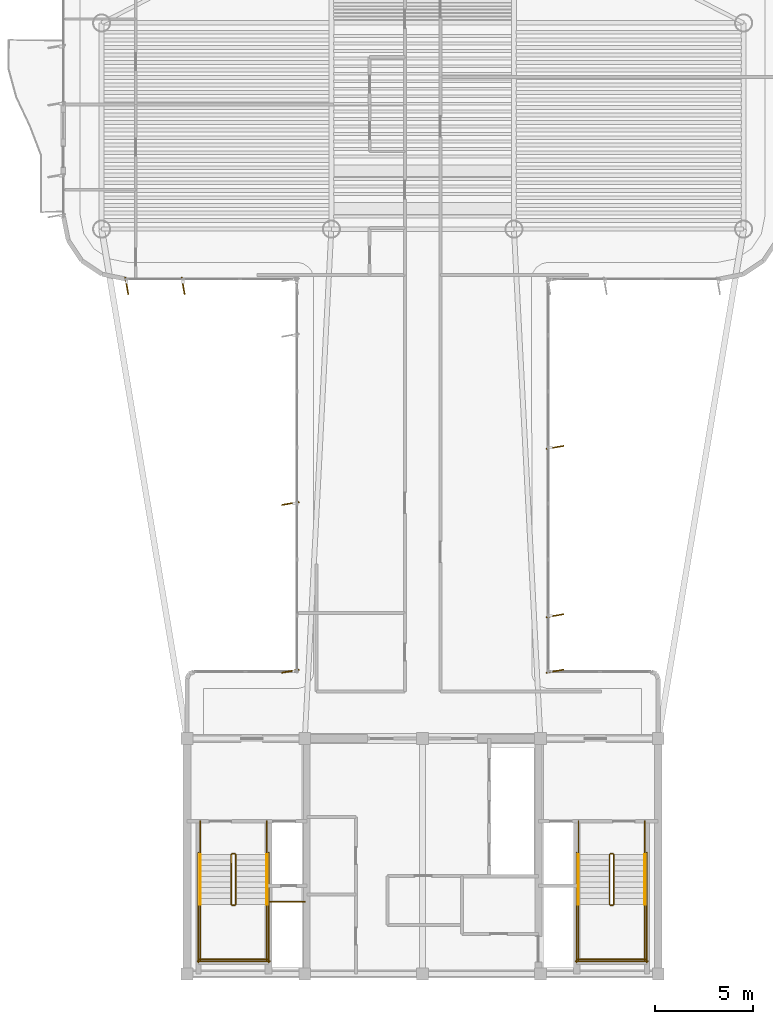
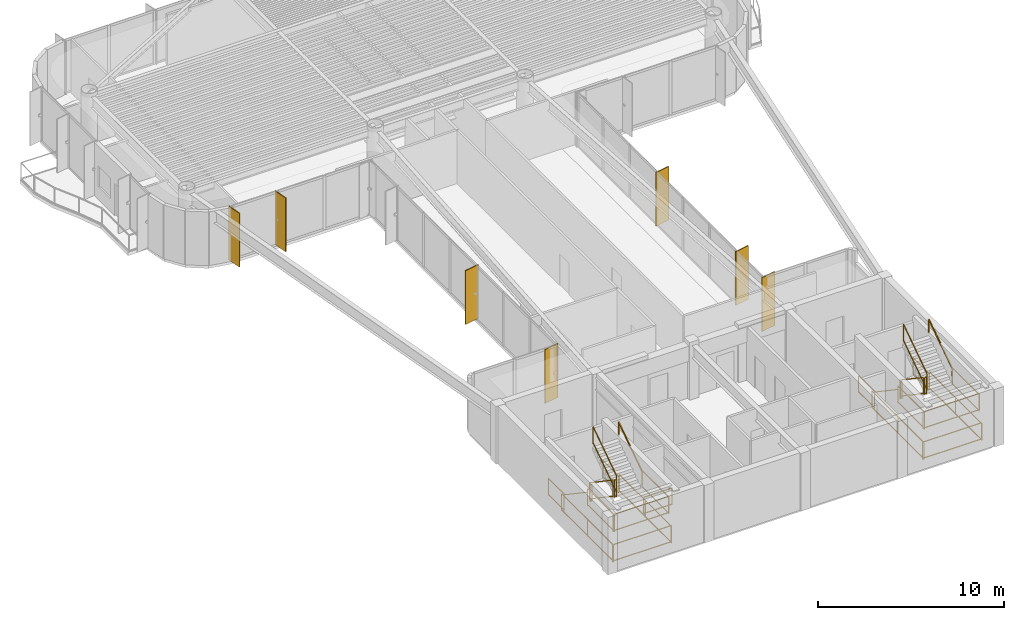
# One storey, part 14 of 15: 29 railings, 7 shading devices.
"""IFC4 building model written with IfcOpenShell, lengths in metres."""

from ifc_helpers import new_model, si_unit, direction, frame, origin, origin_2d, place, context, subcontext, project, spatial, rectangle, extrude, source, transform, mapped, material, layer, layer_set, material_profile, profile_set, type_object, element, save


model = new_model("IFC4")

# Units and contexts
model_context = context("Model", 3, precision=1e-05, world=origin(), true_north=direction((0.0, 1.0)))
body_context = subcontext(model_context, "Body", "Model", "MODEL_VIEW")
ifc_project = project(units=[si_unit("LENGTHUNIT", "METRE"), si_unit("AREAUNIT", "SQUARE_METRE"), si_unit("VOLUMEUNIT", "CUBIC_METRE"), si_unit("PLANEANGLEUNIT", "RADIAN"), si_unit("MASSUNIT", "GRAM", prefix="KILO")], contexts=[model_context])

# Site, building, storey
site_placement = place(None, origin())
site = spatial("IfcSite", under=ifc_project, at=site_placement, CompositionType="ELEMENT")
building_placement = place(site_placement, origin())
building = spatial("IfcBuilding", under=site, at=building_placement, Name="Brelvock Crest Care Tower", CompositionType="ELEMENT")
storey_placement = place(building_placement, frame((0.0, 0.0, 283.5)))
storey = spatial("IfcBuildingStorey", under=building, at=storey_placement, Name="L72", CompositionType="ELEMENT", Elevation=283.5)

# Railings
ifc_material_1 = material(Name="Steel Grade 350", Category="steel")
ifc_layer_1 = layer(ifc_material_1, 0.050048828125, Name="RL-STG1")
ifc_layer_set_1 = layer_set([ifc_layer_1], Name="Steel Grade 350")
railing_type_1 = type_object("IfcRailingType", Name="RL-STG1", PredefinedType="GUARDRAIL", material=ifc_layer_set_1)
railing_1_placement = place(storey_placement, frame((26.260009765625, 12.080078125, 0.18896484375)))
element("IfcRailing", 1, at=railing_1_placement, inside=storey, type_object=railing_type_1, Name="L72 ST-1 stair guard 1", PredefinedType="GUARDRAIL", context=body_context, shape_type="SweptSolid", body=[
    extrude(rectangle(XDim=0.048095703125, YDim=0.048095703125, at=origin_2d()), frame((0.0, -0.001708984375, 1.116943359375), z_axis=(0.0, -0.828861706735, 0.559453546873), x_axis=(1.0, 0.0, 0.0)), (0.0, 0.0, 1.0), 3.036376953125),
    extrude(rectangle(XDim=0.048095703125, YDim=0.048095703125, at=origin_2d()), frame((0.0, -0.001708984375, 0.05615234375), z_axis=(0.0, -0.828861706735, 0.559453546873), x_axis=(1.0, 0.0, 0.0)), (0.0, 0.0, 1.0), 3.036376953125),
    extrude(rectangle(XDim=0.0419921875, YDim=0.0419921875, at=origin_2d()), origin(), (0.0, 0.0, 1.0), 1.08984375),
    extrude(rectangle(XDim=0.0419921875, YDim=0.0419921875, at=origin_2d()), frame((0.0, -2.52001953125, 1.700927734375)), (0.0, 0.0, 1.0), 1.08984375),
])
railing_2_placement = place(storey_placement, frame((26.31005859375, 9.510009765625, 1.889892578125)))
element("IfcRailing", 2, at=railing_2_placement, inside=storey, type_object=railing_type_1, Name="L72 ST-1 stair guard 2", PredefinedType="GUARDRAIL", context=body_context, shape_type="SweptSolid", body=[
    extrude(rectangle(XDim=0.048095703125, YDim=0.048095703125, at=origin_2d()), frame((0.001953125, 0.0, 1.11572265625), z_axis=(1.0, 0.0, 0.0), x_axis=(0.0, 1.0, 0.0)), (0.0, 0.0, 1.0), 0.115966796875),
    extrude(rectangle(XDim=0.048095703125, YDim=0.048095703125, at=origin_2d()), frame((0.001953125, 0.0, 0.054931640625), z_axis=(1.0, 0.0, 0.0), x_axis=(0.0, 1.0, 0.0)), (0.0, 0.0, 1.0), 0.115966796875),
    extrude(rectangle(XDim=0.0419921875, YDim=0.0419921875, at=origin_2d()), origin(), (0.0, 0.0, 1.0), 1.08984375),
    extrude(rectangle(XDim=0.0419921875, YDim=0.0419921875, at=origin_2d()), frame((0.119873046875, 0.0, 0.0)), (0.0, 0.0, 1.0), 1.08984375),
])
for number, where, name in (
    (3, (24.679931640625, 9.56005859375, 1.889892578125), "L72 ST-1 stair guard 3"),
    (4, (28.06005859375, 9.56005859375, 1.889892578125), "L72 ST-1 stair guard 4"),
):
    element("IfcRailing", number, at=place(storey_placement, frame(where)), inside=storey, type_object=railing_type_1, Name=name, PredefinedType="GUARDRAIL", context=body_context, shape_type="SweptSolid", body=[
        extrude(rectangle(XDim=0.048095703125, YDim=0.048095703125, at=origin_2d()), frame((0.0, -0.001953125, 1.11572265625), z_axis=(0.0, -1.0, 0.0), x_axis=(1.0, 0.0, 0.0)), (0.0, 0.0, 1.0), 2.856201171875),
        extrude(rectangle(XDim=0.048095703125, YDim=0.048095703125, at=origin_2d()), frame((0.0, -0.001953125, 0.054931640625), z_axis=(0.0, -1.0, 0.0), x_axis=(1.0, 0.0, 0.0)), (0.0, 0.0, 1.0), 2.856201171875),
        extrude(rectangle(XDim=0.0419921875, YDim=0.0419921875, at=origin_2d()), origin(), (0.0, 0.0, 1.0), 1.08984375),
        extrude(rectangle(XDim=0.0419921875, YDim=0.0419921875, at=origin_2d()), frame((0.0, -2.860107421875, 0.0)), (0.0, 0.0, 1.0), 1.08984375),
    ])
railing_3_placement = place(storey_placement, frame((24.6298828125, 6.75, 1.889892578125)))
element("IfcRailing", 5, at=railing_3_placement, inside=storey, type_object=railing_type_1, Name="L72 ST-1 stair guard 5", PredefinedType="GUARDRAIL", context=body_context, shape_type="SweptSolid", body=[
    extrude(rectangle(XDim=0.048095703125, YDim=0.048095703125, at=origin_2d()), frame((0.001953125, 0.0, 1.11572265625), z_axis=(1.0, 0.0, 0.0), x_axis=(0.0, 1.0, 0.0)), (0.0, 0.0, 1.0), 3.476318359375),
    extrude(rectangle(XDim=0.048095703125, YDim=0.048095703125, at=origin_2d()), frame((0.001953125, 0.0, 0.054931640625), z_axis=(1.0, 0.0, 0.0), x_axis=(0.0, 1.0, 0.0)), (0.0, 0.0, 1.0), 3.476318359375),
    extrude(rectangle(XDim=0.0419921875, YDim=0.0419921875, at=origin_2d()), origin(), (0.0, 0.0, 1.0), 1.08984375),
    extrude(rectangle(XDim=0.0419921875, YDim=0.0419921875, at=origin_2d()), frame((3.480224609375, 0.0, 0.0)), (0.0, 0.0, 1.0), 1.08984375),
])
railing_4_placement = place(storey_placement, frame((26.47998046875, 9.56005859375, 2.0791015625)))
element("IfcRailing", 6, at=railing_4_placement, inside=storey, type_object=railing_type_1, Name="L72 ST-1 stair guard 6", PredefinedType="GUARDRAIL", context=body_context, shape_type="SweptSolid", body=[
    extrude(rectangle(XDim=0.048095703125, YDim=0.048095703125, at=origin_2d()), frame((0.0, 0.001708984375, 1.116943359375), z_axis=(0.0, 0.828861706735, 0.559453546873), x_axis=(-1.0, 0.0, 0.0)), (0.0, 0.0, 1.0), 3.036376953125),
    extrude(rectangle(XDim=0.048095703125, YDim=0.048095703125, at=origin_2d()), frame((0.0, 0.001708984375, 0.05615234375), z_axis=(0.0, 0.828861706735, 0.559453546873), x_axis=(-1.0, 0.0, 0.0)), (0.0, 0.0, 1.0), 3.036376953125),
    extrude(rectangle(XDim=0.0419921875, YDim=0.0419921875, at=origin_2d()), origin(), (0.0, 0.0, 1.0), 1.08984375),
    extrude(rectangle(XDim=0.0419921875, YDim=0.0419921875, at=origin_2d()), frame((0.0, 2.52001953125, 1.700927734375)), (0.0, 0.0, 1.0), 1.08984375),
])
railing_5_placement = place(storey_placement, frame((26.31005859375, 12.1298828125, 0.0)))
element("IfcRailing", 7, at=railing_5_placement, inside=storey, type_object=railing_type_1, Name="L72 ST-1 stair guard 7", PredefinedType="GUARDRAIL", context=body_context, shape_type="SweptSolid", body=[
    extrude(rectangle(XDim=0.048095703125, YDim=0.048095703125, at=origin_2d()), frame((0.001953125, 0.0, 1.11572265625), z_axis=(1.0, 0.0, 0.0), x_axis=(0.0, 1.0, 0.0)), (0.0, 0.0, 1.0), 0.115966796875),
    extrude(rectangle(XDim=0.048095703125, YDim=0.048095703125, at=origin_2d()), frame((0.001953125, 0.0, 0.054931640625), z_axis=(1.0, 0.0, 0.0), x_axis=(0.0, 1.0, 0.0)), (0.0, 0.0, 1.0), 0.115966796875),
    extrude(rectangle(XDim=0.0419921875, YDim=0.0419921875, at=origin_2d()), origin(), (0.0, 0.0, 1.0), 1.08984375),
    extrude(rectangle(XDim=0.0419921875, YDim=0.0419921875, at=origin_2d()), frame((0.119873046875, 0.0, 0.0)), (0.0, 0.0, 1.0), 1.08984375),
])
for number, where, name in (
    (8, (24.679931640625, 13.780029296875, 0.0), "L72 ST-1 stair guard 8"),
    (9, (28.06005859375, 13.780029296875, 0.0), "L72 ST-1 stair guard 9"),
):
    element("IfcRailing", number, at=place(storey_placement, frame(where)), inside=storey, type_object=railing_type_1, Name=name, PredefinedType="GUARDRAIL", context=body_context, shape_type="SweptSolid", body=[
        extrude(rectangle(XDim=0.048095703125, YDim=0.048095703125, at=origin_2d()), frame((0.0, -0.001953125, 1.11572265625), z_axis=(0.0, -1.0, 0.0), x_axis=(1.0, 0.0, 0.0)), (0.0, 0.0, 1.0), 1.696044921875),
        extrude(rectangle(XDim=0.048095703125, YDim=0.048095703125, at=origin_2d()), frame((0.0, -0.001953125, 0.054931640625), z_axis=(0.0, -1.0, 0.0), x_axis=(1.0, 0.0, 0.0)), (0.0, 0.0, 1.0), 1.696044921875),
        extrude(rectangle(XDim=0.0419921875, YDim=0.0419921875, at=origin_2d()), origin(), (0.0, 0.0, 1.0), 1.08984375),
        extrude(rectangle(XDim=0.0419921875, YDim=0.0419921875, at=origin_2d()), frame((0.0, -1.699951171875, 0.0)), (0.0, 0.0, 1.0), 1.08984375),
    ])
for number, where, name in (
    (10, (24.580078125, 12.179931640625, 0.0), "L72 ST-1 stair guard 10"),
    (11, (28.159912109375, 12.179931640625, 0.0), "L72 ST-1 stair guard 11"),
):
    element("IfcRailing", number, at=place(storey_placement, frame(where)), inside=storey, type_object=railing_type_1, Name=name, PredefinedType="GUARDRAIL", context=body_context, shape_type="SweptSolid", body=[
        extrude(rectangle(XDim=0.048095703125, YDim=0.048095703125, at=origin_2d()), frame((0.0, -0.001953125, 1.11572265625), z_axis=(0.0, -1.0, 0.0), x_axis=(1.0, 0.0, 0.0)), (0.0, 0.0, 1.0), 5.575927734375),
        extrude(rectangle(XDim=0.048095703125, YDim=0.048095703125, at=origin_2d()), frame((0.0, -0.001953125, 0.054931640625), z_axis=(0.0, -1.0, 0.0), x_axis=(1.0, 0.0, 0.0)), (0.0, 0.0, 1.0), 5.575927734375),
        extrude(rectangle(XDim=0.0419921875, YDim=0.0419921875, at=origin_2d()), origin(), (0.0, 0.0, 1.0), 1.08984375),
        extrude(rectangle(XDim=0.0419921875, YDim=0.0419921875, at=origin_2d()), frame((0.0, -2.7900390625, 0.0)), (0.0, 0.0, 1.0), 1.08984375),
        extrude(rectangle(XDim=0.0419921875, YDim=0.0419921875, at=origin_2d()), frame((0.0, -5.579833984375, 0.0)), (0.0, 0.0, 1.0), 1.08984375),
    ])
railing_6_placement = place(storey_placement, frame((24.530029296875, 6.64990234375, 0.0)))
element("IfcRailing", 12, at=railing_6_placement, inside=storey, type_object=railing_type_1, Name="L72 ST-1 stair guard 12", PredefinedType="GUARDRAIL", context=body_context, shape_type="SweptSolid", body=[
    extrude(rectangle(XDim=0.048095703125, YDim=0.048095703125, at=origin_2d()), frame((0.001953125, 0.0, 1.11572265625), z_axis=(1.0, 0.0, 0.0), x_axis=(0.0, 1.0, 0.0)), (0.0, 0.0, 1.0), 3.676025390625),
    extrude(rectangle(XDim=0.048095703125, YDim=0.048095703125, at=origin_2d()), frame((0.001953125, 0.0, 0.054931640625), z_axis=(1.0, 0.0, 0.0), x_axis=(0.0, 1.0, 0.0)), (0.0, 0.0, 1.0), 3.676025390625),
    extrude(rectangle(XDim=0.0419921875, YDim=0.0419921875, at=origin_2d()), origin(), (0.0, 0.0, 1.0), 1.08984375),
    extrude(rectangle(XDim=0.0419921875, YDim=0.0419921875, at=origin_2d()), frame((3.679931640625, 0.0, 0.0)), (0.0, 0.0, 1.0), 1.08984375),
])
railing_7_placement = place(storey_placement, frame((45.52001953125, 12.080078125, 0.18896484375)))
element("IfcRailing", 13, at=railing_7_placement, inside=storey, type_object=railing_type_1, Name="L72 ST-2 stair guard 1", PredefinedType="GUARDRAIL", context=body_context, shape_type="SweptSolid", body=[
    extrude(rectangle(XDim=0.048095703125, YDim=0.048095703125, at=origin_2d()), frame((0.0, -0.001708984375, 1.116943359375), z_axis=(0.0, -0.828861706735, 0.559453546873), x_axis=(1.0, 0.0, 0.0)), (0.0, 0.0, 1.0), 3.036376953125),
    extrude(rectangle(XDim=0.048095703125, YDim=0.048095703125, at=origin_2d()), frame((0.0, -0.001708984375, 0.05615234375), z_axis=(0.0, -0.828861706735, 0.559453546873), x_axis=(1.0, 0.0, 0.0)), (0.0, 0.0, 1.0), 3.036376953125),
    extrude(rectangle(XDim=0.0419921875, YDim=0.0419921875, at=origin_2d()), origin(), (0.0, 0.0, 1.0), 1.08984375),
    extrude(rectangle(XDim=0.0419921875, YDim=0.0419921875, at=origin_2d()), frame((0.0, -2.52001953125, 1.700927734375)), (0.0, 0.0, 1.0), 1.08984375),
])
railing_8_placement = place(storey_placement, frame((45.570068359375, 9.510009765625, 1.889892578125)))
element("IfcRailing", 14, at=railing_8_placement, inside=storey, type_object=railing_type_1, Name="L72 ST-2 stair guard 2", PredefinedType="GUARDRAIL", context=body_context, shape_type="SweptSolid", body=[
    extrude(rectangle(XDim=0.048095703125, YDim=0.048095703125, at=origin_2d()), frame((0.001953125, 0.0, 1.11572265625), z_axis=(1.0, 0.0, 0.0), x_axis=(0.0, 1.0, 0.0)), (0.0, 0.0, 1.0), 0.115966796875),
    extrude(rectangle(XDim=0.048095703125, YDim=0.048095703125, at=origin_2d()), frame((0.001953125, 0.0, 0.054931640625), z_axis=(1.0, 0.0, 0.0), x_axis=(0.0, 1.0, 0.0)), (0.0, 0.0, 1.0), 0.115966796875),
    extrude(rectangle(XDim=0.0419921875, YDim=0.0419921875, at=origin_2d()), origin(), (0.0, 0.0, 1.0), 1.08984375),
    extrude(rectangle(XDim=0.0419921875, YDim=0.0419921875, at=origin_2d()), frame((0.119873046875, 0.0, 0.0)), (0.0, 0.0, 1.0), 1.08984375),
])
for number, where, name in (
    (15, (43.93994140625, 9.56005859375, 1.889892578125), "L72 ST-2 stair guard 3"),
    (16, (47.320068359375, 9.56005859375, 1.889892578125), "L72 ST-2 stair guard 4"),
):
    element("IfcRailing", number, at=place(storey_placement, frame(where)), inside=storey, type_object=railing_type_1, Name=name, PredefinedType="GUARDRAIL", context=body_context, shape_type="SweptSolid", body=[
        extrude(rectangle(XDim=0.048095703125, YDim=0.048095703125, at=origin_2d()), frame((0.0, -0.001953125, 1.11572265625), z_axis=(0.0, -1.0, 0.0), x_axis=(1.0, 0.0, 0.0)), (0.0, 0.0, 1.0), 2.856201171875),
        extrude(rectangle(XDim=0.048095703125, YDim=0.048095703125, at=origin_2d()), frame((0.0, -0.001953125, 0.054931640625), z_axis=(0.0, -1.0, 0.0), x_axis=(1.0, 0.0, 0.0)), (0.0, 0.0, 1.0), 2.856201171875),
        extrude(rectangle(XDim=0.0419921875, YDim=0.0419921875, at=origin_2d()), origin(), (0.0, 0.0, 1.0), 1.08984375),
        extrude(rectangle(XDim=0.0419921875, YDim=0.0419921875, at=origin_2d()), frame((0.0, -2.860107421875, 0.0)), (0.0, 0.0, 1.0), 1.08984375),
    ])
railing_9_placement = place(storey_placement, frame((43.889892578125, 6.75, 1.889892578125)))
element("IfcRailing", 17, at=railing_9_placement, inside=storey, type_object=railing_type_1, Name="L72 ST-2 stair guard 5", PredefinedType="GUARDRAIL", context=body_context, shape_type="SweptSolid", body=[
    extrude(rectangle(XDim=0.048095703125, YDim=0.048095703125, at=origin_2d()), frame((0.001953125, 0.0, 1.11572265625), z_axis=(1.0, 0.0, 0.0), x_axis=(0.0, 1.0, 0.0)), (0.0, 0.0, 1.0), 3.476318359375),
    extrude(rectangle(XDim=0.048095703125, YDim=0.048095703125, at=origin_2d()), frame((0.001953125, 0.0, 0.054931640625), z_axis=(1.0, 0.0, 0.0), x_axis=(0.0, 1.0, 0.0)), (0.0, 0.0, 1.0), 3.476318359375),
    extrude(rectangle(XDim=0.0419921875, YDim=0.0419921875, at=origin_2d()), origin(), (0.0, 0.0, 1.0), 1.08984375),
    extrude(rectangle(XDim=0.0419921875, YDim=0.0419921875, at=origin_2d()), frame((3.480224609375, 0.0, 0.0)), (0.0, 0.0, 1.0), 1.08984375),
])
railing_10_placement = place(storey_placement, frame((45.739990234375, 9.56005859375, 2.0791015625)))
element("IfcRailing", 18, at=railing_10_placement, inside=storey, type_object=railing_type_1, Name="L72 ST-2 stair guard 6", PredefinedType="GUARDRAIL", context=body_context, shape_type="SweptSolid", body=[
    extrude(rectangle(XDim=0.048095703125, YDim=0.048095703125, at=origin_2d()), frame((0.0, 0.001708984375, 1.116943359375), z_axis=(0.0, 0.828861706735, 0.559453546873), x_axis=(-1.0, 0.0, 0.0)), (0.0, 0.0, 1.0), 3.036376953125),
    extrude(rectangle(XDim=0.048095703125, YDim=0.048095703125, at=origin_2d()), frame((0.0, 0.001708984375, 0.05615234375), z_axis=(0.0, 0.828861706735, 0.559453546873), x_axis=(-1.0, 0.0, 0.0)), (0.0, 0.0, 1.0), 3.036376953125),
    extrude(rectangle(XDim=0.0419921875, YDim=0.0419921875, at=origin_2d()), origin(), (0.0, 0.0, 1.0), 1.08984375),
    extrude(rectangle(XDim=0.0419921875, YDim=0.0419921875, at=origin_2d()), frame((0.0, 2.52001953125, 1.700927734375)), (0.0, 0.0, 1.0), 1.08984375),
])
railing_11_placement = place(storey_placement, frame((45.570068359375, 12.1298828125, 0.0)))
element("IfcRailing", 19, at=railing_11_placement, inside=storey, type_object=railing_type_1, Name="L72 ST-2 stair guard 7", PredefinedType="GUARDRAIL", context=body_context, shape_type="SweptSolid", body=[
    extrude(rectangle(XDim=0.048095703125, YDim=0.048095703125, at=origin_2d()), frame((0.001953125, 0.0, 1.11572265625), z_axis=(1.0, 0.0, 0.0), x_axis=(0.0, 1.0, 0.0)), (0.0, 0.0, 1.0), 0.115966796875),
    extrude(rectangle(XDim=0.048095703125, YDim=0.048095703125, at=origin_2d()), frame((0.001953125, 0.0, 0.054931640625), z_axis=(1.0, 0.0, 0.0), x_axis=(0.0, 1.0, 0.0)), (0.0, 0.0, 1.0), 0.115966796875),
    extrude(rectangle(XDim=0.0419921875, YDim=0.0419921875, at=origin_2d()), origin(), (0.0, 0.0, 1.0), 1.08984375),
    extrude(rectangle(XDim=0.0419921875, YDim=0.0419921875, at=origin_2d()), frame((0.119873046875, 0.0, 0.0)), (0.0, 0.0, 1.0), 1.08984375),
])
for number, where, name in (
    (20, (43.93994140625, 13.780029296875, 0.0), "L72 ST-2 stair guard 8"),
    (21, (47.320068359375, 13.780029296875, 0.0), "L72 ST-2 stair guard 9"),
):
    element("IfcRailing", number, at=place(storey_placement, frame(where)), inside=storey, type_object=railing_type_1, Name=name, PredefinedType="GUARDRAIL", context=body_context, shape_type="SweptSolid", body=[
        extrude(rectangle(XDim=0.048095703125, YDim=0.048095703125, at=origin_2d()), frame((0.0, -0.001953125, 1.11572265625), z_axis=(0.0, -1.0, 0.0), x_axis=(1.0, 0.0, 0.0)), (0.0, 0.0, 1.0), 1.696044921875),
        extrude(rectangle(XDim=0.048095703125, YDim=0.048095703125, at=origin_2d()), frame((0.0, -0.001953125, 0.054931640625), z_axis=(0.0, -1.0, 0.0), x_axis=(1.0, 0.0, 0.0)), (0.0, 0.0, 1.0), 1.696044921875),
        extrude(rectangle(XDim=0.0419921875, YDim=0.0419921875, at=origin_2d()), origin(), (0.0, 0.0, 1.0), 1.08984375),
        extrude(rectangle(XDim=0.0419921875, YDim=0.0419921875, at=origin_2d()), frame((0.0, -1.699951171875, 0.0)), (0.0, 0.0, 1.0), 1.08984375),
    ])
for number, where, name in (
    (22, (43.840087890625, 12.179931640625, 0.0), "L72 ST-2 stair guard 10"),
    (23, (47.419921875, 12.179931640625, 0.0), "L72 ST-2 stair guard 11"),
):
    element("IfcRailing", number, at=place(storey_placement, frame(where)), inside=storey, type_object=railing_type_1, Name=name, PredefinedType="GUARDRAIL", context=body_context, shape_type="SweptSolid", body=[
        extrude(rectangle(XDim=0.048095703125, YDim=0.048095703125, at=origin_2d()), frame((0.0, -0.001953125, 1.11572265625), z_axis=(0.0, -1.0, 0.0), x_axis=(1.0, 0.0, 0.0)), (0.0, 0.0, 1.0), 5.575927734375),
        extrude(rectangle(XDim=0.048095703125, YDim=0.048095703125, at=origin_2d()), frame((0.0, -0.001953125, 0.054931640625), z_axis=(0.0, -1.0, 0.0), x_axis=(1.0, 0.0, 0.0)), (0.0, 0.0, 1.0), 5.575927734375),
        extrude(rectangle(XDim=0.0419921875, YDim=0.0419921875, at=origin_2d()), origin(), (0.0, 0.0, 1.0), 1.08984375),
        extrude(rectangle(XDim=0.0419921875, YDim=0.0419921875, at=origin_2d()), frame((0.0, -2.7900390625, 0.0)), (0.0, 0.0, 1.0), 1.08984375),
        extrude(rectangle(XDim=0.0419921875, YDim=0.0419921875, at=origin_2d()), frame((0.0, -5.579833984375, 0.0)), (0.0, 0.0, 1.0), 1.08984375),
    ])
railing_12_placement = place(storey_placement, frame((43.7900390625, 6.64990234375, 0.0)))
element("IfcRailing", 24, at=railing_12_placement, inside=storey, type_object=railing_type_1, Name="L72 ST-2 stair guard 12", PredefinedType="GUARDRAIL", context=body_context, shape_type="SweptSolid", body=[
    extrude(rectangle(XDim=0.048095703125, YDim=0.048095703125, at=origin_2d()), frame((0.001953125, 0.0, 1.11572265625), z_axis=(1.0, 0.0, 0.0), x_axis=(0.0, 1.0, 0.0)), (0.0, 0.0, 1.0), 3.676025390625),
    extrude(rectangle(XDim=0.048095703125, YDim=0.048095703125, at=origin_2d()), frame((0.001953125, 0.0, 0.054931640625), z_axis=(1.0, 0.0, 0.0), x_axis=(0.0, 1.0, 0.0)), (0.0, 0.0, 1.0), 3.676025390625),
    extrude(rectangle(XDim=0.0419921875, YDim=0.0419921875, at=origin_2d()), origin(), (0.0, 0.0, 1.0), 1.08984375),
    extrude(rectangle(XDim=0.0419921875, YDim=0.0419921875, at=origin_2d()), frame((3.679931640625, 0.0, 0.0)), (0.0, 0.0, 1.0), 1.08984375),
])
railing_13_placement = place(storey_placement, frame((28.219970703125, 9.679931640625, 0.0)))
element("IfcRailing", 25, at=railing_13_placement, inside=storey, type_object=railing_type_1, Name="L72 Fire Riser Threshold Guard", PredefinedType="GUARDRAIL", context=body_context, shape_type="SweptSolid", body=[
    extrude(rectangle(XDim=0.048095703125, YDim=0.048095703125, at=origin_2d()), frame((0.001953125, 0.0, 1.11572265625), z_axis=(1.0, 0.0, 0.0), x_axis=(0.0, 1.0, 0.0)), (0.0, 0.0, 1.0), 1.776123046875),
    extrude(rectangle(XDim=0.048095703125, YDim=0.048095703125, at=origin_2d()), frame((0.001953125, 0.0, 0.054931640625), z_axis=(1.0, 0.0, 0.0), x_axis=(0.0, 1.0, 0.0)), (0.0, 0.0, 1.0), 1.776123046875),
    extrude(rectangle(XDim=0.0419921875, YDim=0.0419921875, at=origin_2d()), origin(), (0.0, 0.0, 1.0), 1.08984375),
    extrude(rectangle(XDim=0.0419921875, YDim=0.0419921875, at=origin_2d()), frame((1.780029296875, 0.0, 0.0)), (0.0, 0.0, 1.0), 1.08984375),
])
ifc_layer_2 = layer(ifc_material_1, 0.048095703125, Name="RL-STH1")
ifc_layer_set_2 = layer_set([ifc_layer_2], Name="Steel Grade 350")
railing_type_2 = type_object("IfcRailingType", Name="RL-STH1", PredefinedType="HANDRAIL", material=ifc_layer_set_2)
railing_14_placement = place(storey_placement, frame((24.679931640625, 12.080078125, 0.18896484375)))
element("IfcRailing", 26, at=railing_14_placement, inside=storey, type_object=railing_type_2, Name="L72 ST-1 stair handrail 1", PredefinedType="HANDRAIL", context=body_context, shape_type="SweptSolid", body=[
    extrude(rectangle(XDim=0.048095703125, YDim=0.048095703125, at=origin_2d()), frame((0.0, -0.001708984375, 0.876953125), z_axis=(0.0, -0.828861706735, 0.559453546873), x_axis=(1.0, 0.0, 0.0)), (0.0, 0.0, 1.0), 3.036376953125),
    extrude(rectangle(XDim=0.0419921875, YDim=0.0419921875, at=origin_2d()), origin(), (0.0, 0.0, 1.0), 0.849853515625),
    extrude(rectangle(XDim=0.0419921875, YDim=0.0419921875, at=origin_2d()), frame((0.0, -2.52001953125, 1.700927734375)), (0.0, 0.0, 1.0), 0.849853515625),
])
railing_15_placement = place(storey_placement, frame((28.06005859375, 9.56005859375, 2.0791015625)))
element("IfcRailing", 27, at=railing_15_placement, inside=storey, type_object=railing_type_2, Name="L72 ST-1 stair handrail 2", PredefinedType="HANDRAIL", context=body_context, shape_type="SweptSolid", body=[
    extrude(rectangle(XDim=0.048095703125, YDim=0.048095703125, at=origin_2d()), frame((0.0, 0.001708984375, 0.876953125), z_axis=(0.0, 0.828861706735, 0.559453546873), x_axis=(-1.0, 0.0, 0.0)), (0.0, 0.0, 1.0), 3.036376953125),
    extrude(rectangle(XDim=0.0419921875, YDim=0.0419921875, at=origin_2d()), origin(), (0.0, 0.0, 1.0), 0.849853515625),
    extrude(rectangle(XDim=0.0419921875, YDim=0.0419921875, at=origin_2d()), frame((0.0, 2.52001953125, 1.700927734375)), (0.0, 0.0, 1.0), 0.849853515625),
])
railing_16_placement = place(storey_placement, frame((43.93994140625, 12.080078125, 0.18896484375)))
element("IfcRailing", 28, at=railing_16_placement, inside=storey, type_object=railing_type_2, Name="L72 ST-2 stair handrail 1", PredefinedType="HANDRAIL", context=body_context, shape_type="SweptSolid", body=[
    extrude(rectangle(XDim=0.048095703125, YDim=0.048095703125, at=origin_2d()), frame((0.0, -0.001708984375, 0.876953125), z_axis=(0.0, -0.828861706735, 0.559453546873), x_axis=(1.0, 0.0, 0.0)), (0.0, 0.0, 1.0), 3.036376953125),
    extrude(rectangle(XDim=0.0419921875, YDim=0.0419921875, at=origin_2d()), origin(), (0.0, 0.0, 1.0), 0.849853515625),
    extrude(rectangle(XDim=0.0419921875, YDim=0.0419921875, at=origin_2d()), frame((0.0, -2.52001953125, 1.700927734375)), (0.0, 0.0, 1.0), 0.849853515625),
])
railing_17_placement = place(storey_placement, frame((47.320068359375, 9.56005859375, 2.0791015625)))
element("IfcRailing", 29, at=railing_17_placement, inside=storey, type_object=railing_type_2, Name="L72 ST-2 stair handrail 2", PredefinedType="HANDRAIL", context=body_context, shape_type="SweptSolid", body=[
    extrude(rectangle(XDim=0.048095703125, YDim=0.048095703125, at=origin_2d()), frame((0.0, 0.001708984375, 0.876953125), z_axis=(0.0, 0.828861706735, 0.559453546873), x_axis=(-1.0, 0.0, 0.0)), (0.0, 0.0, 1.0), 3.036376953125),
    extrude(rectangle(XDim=0.0419921875, YDim=0.0419921875, at=origin_2d()), origin(), (0.0, 0.0, 1.0), 0.849853515625),
    extrude(rectangle(XDim=0.0419921875, YDim=0.0419921875, at=origin_2d()), frame((0.0, 2.52001953125, 1.700927734375)), (0.0, 0.0, 1.0), 0.849853515625),
])

# Shading devices
ifc_material_2 = material(Name="Aluminium 6063-T6", Category="aluminium")
ifc_material_profile = material_profile(ifc_material_2, rectangle(XDim=0.054931640625, YDim=0.89990234375, at=origin_2d()), Name="FIN55x900")
ifc_profile_set = profile_set([ifc_material_profile], Name="Aluminium 6063-T6")
shading_device_type = type_object("IfcShadingDeviceType", Name="SHD-FIN1", PredefinedType="USERDEFINED", material=ifc_profile_set)
shared_shape = source(origin(), body_context, "Body", "SweptSolid", [
    extrude(rectangle(XDim=0.054931640625, YDim=0.89990234375, at=origin_2d()), origin(), (0.0, 0.0, 1.0), 3.530029296875),
])
for number, where, z_axis, x_axis, name in (
    (30, (29.260009765625, 21.429931640625, 0.0), (0.0, 0.0, 1.0), (-0.173648177667, 0.984807753012, 0.0), "L72 Vertical Sunshade Fin E11-01"),
    (31, (29.260009765625, 29.971435546875, 0.0), (0.0, 0.0, 1.0), (-0.173648177667, 0.984807753012, 0.0), "L72 Vertical Sunshade Fin E11-04"),
    (32, (23.800048828125, 41.06005859375, 0.0), (0.0, 0.0, 1.0), (-0.984807753012, -0.173648177667, 0.0), "L72 Vertical Sunshade Fin E12-03"),
    (33, (20.929931640625, 41.06005859375, 0.0), (0.0, 0.0, 1.0), (-0.984807753012, -0.173648177667, 0.0), "L72 Vertical Sunshade Fin E12-04"),
    (34, (42.739990234375, 32.82861328125, 0.0), (0.0, 0.0, 1.0), (0.173648177667, -0.984807753012, 0.0), "L72 Vertical Sunshade Fin E45-04"),
    (35, (42.739990234375, 24.257080078125, 0.0), (0.0, 0.0, 1.0), (0.173648177667, -0.984807753012, 0.0), "L72 Vertical Sunshade Fin E45-07"),
    (36, (42.739990234375, 21.429931640625, 0.0), (0.0, 0.0, 1.0), (0.173648177667, -0.984807753012, 0.0), "L72 Vertical Sunshade Fin E45-08"),
):
    element("IfcShadingDevice", number, at=place(storey_placement, frame(where, z_axis=z_axis, x_axis=x_axis)), inside=storey, type_object=shading_device_type, Name=name, ObjectType="FIN", PredefinedType="USERDEFINED", context=body_context, shape_type="MappedRepresentation", body=[
        mapped(shared_shape, transform((0.0, 0.0, 0.0), x_axis=(1.0, 0.0, 0.0), y_axis=(0.0, 1.0, 0.0), z_axis=(0.0, 0.0, 1.0), scale=1.0)),
    ])

save(model, "model.ifc")
